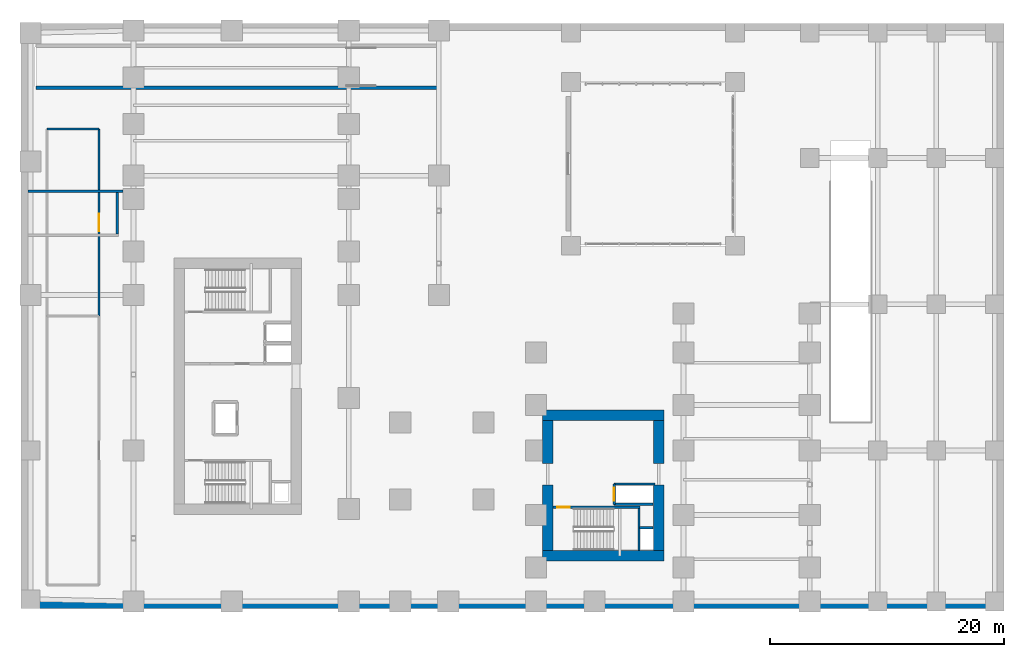
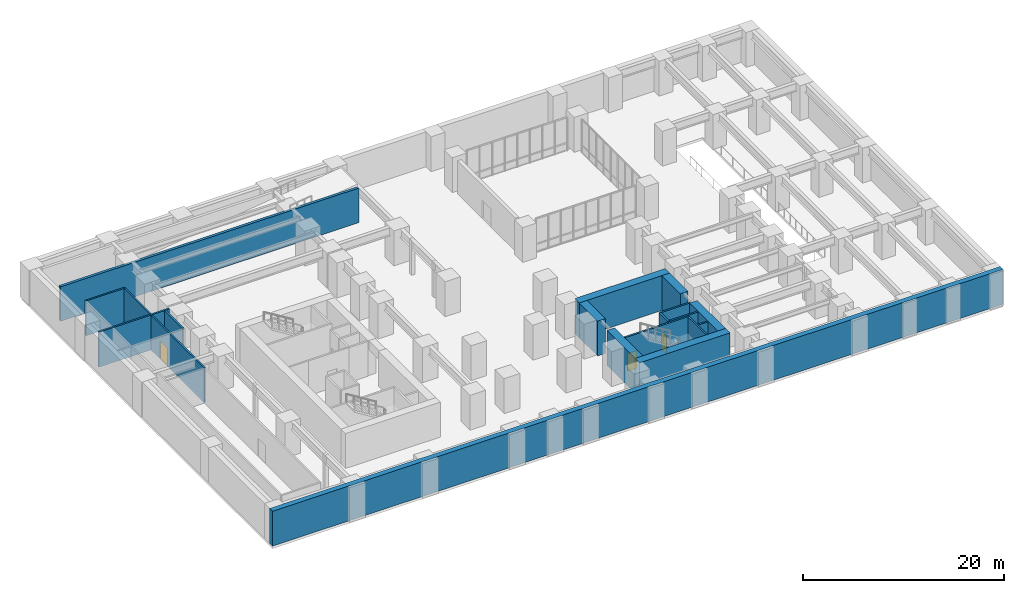
# One storey, part 14 of 18: 18 walls, 3 doors, 3 openings.
"""IFC4 building model written with IfcOpenShell, lengths in metres."""

import ifcopenshell
import ifcopenshell.guid

model = None  # the IFC model being written
_history = None  # IfcOwnerHistory: only IFC2X3 demands one
_inside = {}  # id of a spatial element -> (the spatial element, [elements in it])
_under = {}  # id of a project, library or spatial element -> (it, [spatial elements below it])
_declared = {}  # id of a project -> (the project, [libraries it declares])
_typed = {}  # id of a type object -> (the type object, [elements of that type])
_made_of = {}  # id of a material, layer set ... -> (it, [elements and type objects made of it])


def new_model(schema):
    """Start an empty IFC model of exactly this schema.

    Asked for "IFC4X3", IfcOpenShell would pick the latest addendum, in which some entities
    have other attributes; the version numbers below select the first issue.
    IFC2X3 requires an IfcOwnerHistory on every rooted entity: one is made here for all.
    """
    global model, _history
    if schema == "IFC4X3":
        model = ifcopenshell.file(schema_version=(4, 3, 0, 0))
    else:
        model = ifcopenshell.file(schema=schema)
    _inside.clear()
    _under.clear()
    _declared.clear()
    _typed.clear()
    _made_of.clear()
    _history = None
    if model.schema == "IFC2X3":
        org = make("IfcOrganization", Name="unknown")
        user = make(
            "IfcPersonAndOrganization",
            ThePerson=make("IfcPerson", FamilyName="unknown"),
            TheOrganization=org,
        )
        app = make(
            "IfcApplication",
            ApplicationDeveloper=org,
            Version="unknown",
            ApplicationFullName="unknown",
            ApplicationIdentifier="unknown",
        )
        _history = make(
            "IfcOwnerHistory",
            OwningUser=user,
            OwningApplication=app,
            ChangeAction="ADDED",
            CreationDate=0,
        )
    return model


def make(cls, **values):
    """One entity of the class cls with the attributes given. An attribute that is None is left unset."""
    return model.create_entity(
        cls, **{name: value for name, value in values.items() if value is not None}
    )


def rooted(cls, **values):
    """An entity with a GlobalId (a new one), such as an element, a storey or a relation."""
    return make(cls, GlobalId=ifcopenshell.guid.new(), OwnerHistory=_history, **values)


def si_unit(unit_type, name, prefix=None):
    """IfcSIUnit, for example si_unit("LENGTHUNIT", "METRE", prefix="MILLI")."""
    return make("IfcSIUnit", UnitType=unit_type, Prefix=prefix, Name=name)


def assignment(units):
    """IfcUnitAssignment: the units of a project."""
    return None if units is None else make("IfcUnitAssignment", Units=units)


def point(xyz):
    """IfcCartesianPoint."""
    return None if xyz is None else make("IfcCartesianPoint", Coordinates=xyz)


def direction(xyz):
    """IfcDirection."""
    return None if xyz is None else make("IfcDirection", DirectionRatios=xyz)


def frame(location, z_axis=None, x_axis=None):
    """IfcAxis2Placement3D, a coordinate frame: its origin and axes. An axis left out is left unset."""
    return make(
        "IfcAxis2Placement3D",
        Location=point(location),
        Axis=direction(z_axis),
        RefDirection=direction(x_axis),
    )


def frame_2d(location, x_axis=None):
    """IfcAxis2Placement2D, a coordinate frame in the plane: its origin and x axis."""
    return make(
        "IfcAxis2Placement2D", Location=point(location), RefDirection=direction(x_axis)
    )


def origin():
    """The frame at (0, 0, 0) with its axes left unset."""
    return frame((0.0, 0.0, 0.0))


def place(relative_to, where):
    """IfcLocalPlacement: puts the frame where relative to a parent placement (None: the world)."""
    return make(
        "IfcLocalPlacement", PlacementRelTo=relative_to, RelativePlacement=where
    )


def context(
    kind, dimensions, precision=None, world=None, true_north=None, identifier=None
):
    """IfcGeometricRepresentationContext, for example the 3D "Model" context."""
    return make(
        "IfcGeometricRepresentationContext",
        ContextIdentifier=identifier,
        ContextType=kind,
        CoordinateSpaceDimension=dimensions,
        Precision=precision,
        WorldCoordinateSystem=world,
        TrueNorth=true_north,
    )


def subcontext(parent, identifier, kind, view, scale=None):
    """IfcGeometricRepresentationSubContext, for example "Body" below "Model"."""
    return make(
        "IfcGeometricRepresentationSubContext",
        ContextIdentifier=identifier,
        ContextType=kind,
        ParentContext=parent,
        TargetScale=scale,
        TargetView=view,
    )


def project(units=None, contexts=None):
    """IfcProject with its units and contexts."""
    return rooted(
        "IfcProject",
        Name="project",
        RepresentationContexts=contexts,
        UnitsInContext=assignment(units),
    )


def spatial(cls, under=None, at=None, **own):
    """A site, building, storey or space (cls), placed at a placement, below another one or the project."""
    s = rooted(cls, ObjectPlacement=at, **own)
    if under is not None:
        _under.setdefault(under.id(), (under, []))[1].append(s)
    return s


def profile(cls, at=None, kind="AREA", **sizes):
    """A parametric profile (cls). Its sizes go by their IFC names, for example OverallWidth=200.0."""
    return make(cls, ProfileType=kind, Position=at, **sizes)


def rectangle(**sizes):
    """IfcRectangleProfileDef."""
    return profile("IfcRectangleProfileDef", **sizes)


def extrude(swept, where, along, depth):
    """IfcExtrudedAreaSolid: the profile swept, set in the frame where, extruded along a direction by depth."""
    return make(
        "IfcExtrudedAreaSolid",
        SweptArea=swept,
        Position=where,
        ExtrudedDirection=direction(along),
        Depth=depth,
    )


def shape(context_of_items, identifier, shape_type, items):
    """IfcShapeRepresentation: the items that make up one representation, for example the "Body"."""
    return make(
        "IfcShapeRepresentation",
        ContextOfItems=context_of_items,
        RepresentationIdentifier=identifier,
        RepresentationType=shape_type,
        Items=items,
    )


def source(mapping_origin, context_of_items, identifier, shape_type, items):
    """IfcRepresentationMap: a shape defined once, which mapped items show again and again."""
    return make(
        "IfcRepresentationMap",
        MappingOrigin=mapping_origin,
        MappedRepresentation=shape(context_of_items, identifier, shape_type, items),
    )


def transform(
    local_origin,
    x_axis=None,
    y_axis=None,
    z_axis=None,
    scale=None,
    scale2=None,
    scale3=None,
    uniform=True,
):
    """IfcCartesianTransformationOperator3D, or its non-uniform kind. x_axis, y_axis, z_axis: its Axis1, 2, 3."""
    if uniform:
        return make(
            "IfcCartesianTransformationOperator3D",
            Axis1=direction(x_axis),
            Axis2=direction(y_axis),
            LocalOrigin=point(local_origin),
            Scale=scale,
            Axis3=direction(z_axis),
        )
    return make(
        "IfcCartesianTransformationOperator3DnonUniform",
        Axis1=direction(x_axis),
        Axis2=direction(y_axis),
        LocalOrigin=point(local_origin),
        Scale=scale,
        Axis3=direction(z_axis),
        Scale2=scale2,
        Scale3=scale3,
    )


def mapped(mapping_source, mapping_target):
    """IfcMappedItem: shows the shape of a source again, moved by a transform."""
    return make(
        "IfcMappedItem", MappingSource=mapping_source, MappingTarget=mapping_target
    )


def material(Name=None, Category=None):
    """IfcMaterial."""
    return make("IfcMaterial", Name=Name, Category=Category)


def layer(
    of_material, thickness, ventilated=None, Name=None, Category=None, Priority=None
):
    """IfcMaterialLayer: one layer of a wall or slab, of a material (None: an air gap)."""
    return make(
        "IfcMaterialLayer",
        Material=of_material,
        LayerThickness=thickness,
        IsVentilated=ventilated,
        Name=Name,
        Category=Category,
        Priority=Priority,
    )


def layer_set(layers, Name=None):
    """IfcMaterialLayerSet."""
    return make("IfcMaterialLayerSet", MaterialLayers=layers, LayerSetName=Name)


def made_of(thing, what):
    """Note that an element or type object is made of a material, layer set ...; save() writes the relation."""
    if what is not None:
        _made_of.setdefault(what.id(), (what, []))[1].append(thing)
    return thing


def type_object(cls, material=None, **own):
    """A type object (cls), such as IfcWallType, which elements share."""
    return made_of(rooted(cls, **own), material)


def element(
    cls,
    number,
    at=None,
    inside=None,
    cuts=None,
    type_object=None,
    material=None,
    context=None,
    identifier="Body",
    shape_type=None,
    held_by="IfcProductDefinitionShape",
    body=None,
    shapes=None,
    **own,
):
    """One element of the class cls, such as IfcWall. Its Tag is "e" and its number.

    at: its placement. inside: the storey or other place that contains it. cuts: it is an
    opening in that element (IfcRelVoidsElement). A single representation is given by context,
    identifier, shape_type and body (its items); several are given by shapes. held_by: the class
    of the entity that holds the representations. save() writes the other relations.
    """
    e = rooted(cls, Tag="e%d" % number, ObjectPlacement=at, **own)
    if body is not None:
        shapes = [shape(context, identifier, shape_type, body)]
    if shapes is not None:
        e.Representation = make(held_by, Representations=shapes)
    if inside is not None:
        _inside.setdefault(inside.id(), (inside, []))[1].append(e)
    if cuts is not None:
        rooted(
            "IfcRelVoidsElement", RelatingBuildingElement=cuts, RelatedOpeningElement=e
        )
    if type_object is not None:
        _typed.setdefault(type_object.id(), (type_object, []))[1].append(e)
    return made_of(e, material)


def fill(opening, filler):
    """IfcRelFillsElement: the door or window that sits in an opening."""
    return rooted(
        "IfcRelFillsElement",
        RelatingOpeningElement=opening,
        RelatedBuildingElement=filler,
    )


def aggregate(whole, parts):
    """IfcRelAggregates: a whole, such as a stair, and the parts it consists of."""
    return rooted("IfcRelAggregates", RelatingObject=whole, RelatedObjects=parts)


def save(model, path):
    """Write the relations noted so far, then the file.

    IfcRelAggregates (storeys below a building ...), IfcRelContainedInSpatialStructure (elements
    in a storey), IfcRelDefinesByType, IfcRelAssociatesMaterial and IfcRelDeclares: one each for
    every whole, place, type object, material and project.
    """
    for whole, parts in _under.values():
        aggregate(whole, parts)
    for where, things in _inside.values():
        rooted(
            "IfcRelContainedInSpatialStructure",
            RelatedElements=things,
            RelatingStructure=where,
        )
    for kind, things in _typed.values():
        rooted("IfcRelDefinesByType", RelatedObjects=things, RelatingType=kind)
    for what, things in _made_of.values():
        rooted("IfcRelAssociatesMaterial", RelatedObjects=things, RelatingMaterial=what)
    for by, libraries in _declared.values():
        rooted("IfcRelDeclares", RelatingContext=by, RelatedDefinitions=libraries)
    model.write(path)


model = new_model("IFC4")

# Units and contexts
model_context = context("Model", 3, precision=1e-05, world=origin(), true_north=direction((0.0, 1.0)))
body_context = subcontext(model_context, "Body", "Model", "MODEL_VIEW")
ifc_project = project(units=[si_unit("LENGTHUNIT", "METRE"), si_unit("AREAUNIT", "SQUARE_METRE"), si_unit("VOLUMEUNIT", "CUBIC_METRE"), si_unit("PLANEANGLEUNIT", "RADIAN"), si_unit("MASSUNIT", "GRAM", prefix="KILO")], contexts=[model_context])

# Site, building, storey
site_placement = place(None, origin())
site = spatial("IfcSite", under=ifc_project, at=site_placement, CompositionType="ELEMENT")
building_placement = place(site_placement, origin())
building = spatial("IfcBuilding", under=site, at=building_placement, Name="Kharzan Plaza Tower", CompositionType="ELEMENT")
storey_placement = place(building_placement, frame((0.0, 0.0, -4.5)))
storey = spatial("IfcBuildingStorey", under=building, at=storey_placement, Name="B01", CompositionType="ELEMENT", Elevation=-4.5)

# Wall, opening, door
ifc_material_1 = material(Name="Concrete C40/50", Category="concrete")
ifc_layer_1 = layer(ifc_material_1, 0.179931640625)
ifc_layer_set_1 = layer_set([ifc_layer_1], Name="Concrete C40/50")
wall_type_1 = type_object("IfcWallType", Name="WL-INT-FIRE-180", PredefinedType="PARTITIONING", material=ifc_layer_set_1)
wall_1_placement = place(storey_placement, frame((-2.35009765625, 25.0, 0.0), z_axis=(0.0, 0.0, 1.0), x_axis=(0.0, 1.0, 0.0)))
wall_1 = element("IfcWall", 1, at=wall_1_placement, inside=storey, type_object=wall_type_1, Name="B01 Interior Partition B01-PW2", PredefinedType="PARTITIONING", context=body_context, shape_type="SweptSolid", body=[
    extrude(rectangle(XDim=16.0, YDim=0.179931640625, at=frame_2d((8.0, 0.0))), origin(), (0.0, 0.0, 1.0), 4.22509765625),
])
opening_1_placement = place(wall_1_placement, frame((7.25, 0.0, 0.0)))
opening_1 = element("IfcOpeningElement", 2, at=opening_1_placement, cuts=wall_1, Name="Opening PD1", PredefinedType="OPENING", context=body_context, shape_type="SweptSolid", body=[
    extrude(rectangle(XDim=1.5, YDim=2.199951171875, at=frame_2d((0.75, 1.10009765625))), frame((0.0, 0.099853515625, 0.0), z_axis=(0.0, -1.0, 0.0), x_axis=(1.0, 0.0, 0.0)), (0.0, 0.0, 1.0), 0.199951171875),
])
ifc_material_2 = material(Name="Galvanized Louvred Acoustic Steel", Category="steel")
door_type_1 = type_object("IfcDoorType", Name="DR-PLANT-DBL", OperationType="DOUBLE_DOOR_SINGLE_SWING", PredefinedType="DOOR", material=ifc_material_2)
shared_shape_1 = source(origin(), body_context, "Body", "SweptSolid", [
    extrude(rectangle(XDim=1.5, YDim=2.199951171875, at=frame_2d((0.75, 1.10009765625))), frame((0.0, 0.02490234375, 0.0), z_axis=(0.0, -1.0, 0.0), x_axis=(1.0, 0.0, 0.0)), (0.0, 0.0, 1.0), 0.050048828125),
])
door_1_placement = place(opening_1_placement, origin())
door_1 = element("IfcDoor", 3, at=door_1_placement, inside=storey, type_object=door_type_1, Name="B01 HV Substation Fire Door", OperationType="DOUBLE_DOOR_SINGLE_SWING", OverallHeight=2.199951171875, OverallWidth=1.5, PredefinedType="DOOR", context=body_context, shape_type="MappedRepresentation", body=[
    mapped(shared_shape_1, transform((0.0, 0.0, 0.0), x_axis=(1.0, 0.0, 0.0), y_axis=(0.0, 1.0, 0.0), z_axis=(0.0, 0.0, 1.0))),
])
fill(opening_1, door_1)

ifc_layer_2 = layer(ifc_material_1, 0.199951171875)
ifc_layer_set_2 = layer_set([ifc_layer_2], Name="Concrete C40/50")
wall_type_2 = type_object("IfcWallType", Name="WL-INT-SHAFT-200", PredefinedType="PARTITIONING", material=ifc_layer_set_2)
wall_2_placement = place(storey_placement, frame((41.679931640625, 8.89990234375, 0.0), z_axis=(0.0, 0.0, 1.0), x_axis=(0.0, 1.0, 0.0)))
wall_2 = element("IfcWall", 4, at=wall_2_placement, inside=storey, type_object=wall_type_2, Name="B01 Interior Partition SHF-SVL-2-W", PredefinedType="PARTITIONING", context=body_context, shape_type="SweptSolid", body=[
    extrude(rectangle(XDim=1.739990234375, YDim=0.199951171875, at=frame_2d((0.8701171875, 0.0))), origin(), (0.0, 0.0, 1.0), 4.22509765625),
])
opening_2_placement = place(wall_2_placement, frame((0.320068359375, 0.0, 0.0)))
opening_2 = element("IfcOpeningElement", 5, at=opening_2_placement, cuts=wall_2, Name="Opening LD", PredefinedType="OPENING", context=body_context, shape_type="SweptSolid", body=[
    extrude(rectangle(XDim=1.10009765625, YDim=2.199951171875, at=frame_2d((0.550048828125, 1.10009765625))), frame((0.0, 0.10986328125, 0.0), z_axis=(0.0, -1.0, 0.0), x_axis=(1.0, 0.0, 0.0)), (0.0, 0.0, 1.0), 0.219970703125),
])
ifc_material_3 = material(Name="Brushed Stainless Steel", Category="steel")
door_type_2 = type_object("IfcDoorType", Name="DR-LIFT-SLIDE", OperationType="SLIDING_TO_LEFT", PredefinedType="DOOR", material=ifc_material_3)
shared_shape_2 = source(origin(), body_context, "Body", "SweptSolid", [
    extrude(rectangle(XDim=1.10009765625, YDim=2.199951171875, at=frame_2d((0.550048828125, 1.10009765625))), frame((0.0, 0.02490234375, 0.0), z_axis=(0.0, -1.0, 0.0), x_axis=(1.0, 0.0, 0.0)), (0.0, 0.0, 1.0), 0.050048828125),
])
door_2_placement = place(opening_2_placement, origin())
door_2 = element("IfcDoor", 6, at=door_2_placement, inside=storey, type_object=door_type_2, Name="B01 Service Lift SVL-2 Sliding Landing Door", OperationType="SLIDING_TO_LEFT", OverallHeight=2.199951171875, OverallWidth=1.10009765625, PredefinedType="DOOR", context=body_context, shape_type="MappedRepresentation", body=[
    mapped(shared_shape_2, transform((0.0, 0.0, 0.0), x_axis=(1.0, 0.0, 0.0), y_axis=(0.0, 1.0, 0.0), z_axis=(0.0, 0.0, 1.0))),
])
fill(opening_2, door_2)

ifc_material_4 = material(Name="Concrete C50/60", Category="concrete")
ifc_layer_3 = layer(ifc_material_4, 0.199951171875)
ifc_layer_set_3 = layer_set([ifc_layer_3], Name="Concrete C50/60")
wall_type_3 = type_object("IfcWallType", Name="WL-SHAFT-RC200", PredefinedType="SHEAR", material=ifc_layer_set_3)
wall_3_placement = place(storey_placement, frame((36.451904296875, 8.655029296875, 0.0), z_axis=(0.0, 0.0, 1.0), x_axis=(1.0, 0.0, 0.0)))
wall_3 = element("IfcWall", 7, at=wall_3_placement, inside=storey, type_object=wall_type_3, Name="B01 Stair ST-3 North RC Shaft Wall", PredefinedType="SHEAR", context=body_context, shape_type="SweptSolid", body=[
    extrude(rectangle(XDim=7.453125, YDim=0.199951171875, at=frame_2d((3.7265625, 0.0))), origin(), (0.0, 0.0, 1.0), 4.239990234375),
])
opening_3_placement = place(wall_3_placement, frame((0.35009765625, 0.0, 0.0)))
opening_3 = element("IfcOpeningElement", 8, at=opening_3_placement, cuts=wall_3, Name="Opening SD1", PredefinedType="OPENING", context=body_context, shape_type="SweptSolid", body=[
    extrude(rectangle(XDim=1.10009765625, YDim=2.14990234375, at=frame_2d((0.550048828125, 1.074951171875))), frame((0.0, 0.10986328125, 0.0), z_axis=(0.0, -1.0, 0.0), x_axis=(1.0, 0.0, 0.0)), (0.0, 0.0, 1.0), 0.219970703125),
])
ifc_material_5 = material(Name="Fire-Rated Hollow Galvanized Steel", Category="steel")
door_type_3 = type_object("IfcDoorType", Name="DR-STAIR-FD120", OperationType="NOTDEFINED", PredefinedType="DOOR", material=ifc_material_5)
shared_shape_3 = source(origin(), body_context, "Body", "SweptSolid", [
    extrude(rectangle(XDim=1.10009765625, YDim=2.14990234375, at=frame_2d((0.550048828125, 1.074951171875))), frame((0.0, 0.02490234375, 0.0), z_axis=(0.0, -1.0, 0.0), x_axis=(1.0, 0.0, 0.0)), (0.0, 0.0, 1.0), 0.050048828125),
])
door_3_placement = place(opening_3_placement, origin())
door_3 = element("IfcDoor", 9, at=door_3_placement, inside=storey, type_object=door_type_3, Name="B01 Stair ST-3 Fire Exit Door", OperationType="SINGLE_SWING_RIGHT", OverallHeight=2.14990234375, OverallWidth=1.10009765625, PredefinedType="DOOR", context=body_context, shape_type="MappedRepresentation", body=[
    mapped(shared_shape_3, transform((0.0, 0.0, 0.0), x_axis=(1.0, 0.0, 0.0), y_axis=(0.0, 1.0, 0.0), z_axis=(0.0, 0.0, 1.0))),
])
fill(opening_3, door_3)

# Walls
ifc_layer_4 = layer(ifc_material_4, 0.300048828125)
ifc_layer_set_4 = layer_set([ifc_layer_4], Name="Concrete C50/60")
wall_type_4 = type_object("IfcWallType", Name="WL-RAMP-RC300", PredefinedType="SHEAR", material=ifc_layer_set_4)
shared_shape_4 = source(origin(), body_context, "Body", "SweptSolid", [
    extrude(rectangle(XDim=34.300048828125, YDim=0.300048828125, at=frame_2d((17.14990234375, 0.0))), origin(), (0.0, 0.0, 1.0), 4.199951171875),
])
wall_4_placement = place(storey_placement, frame((-7.75, 44.5, 0.0), z_axis=(0.0, 0.0, 1.0), x_axis=(1.0, 0.0, 0.0)))
element("IfcWall", 10, at=wall_4_placement, inside=storey, type_object=wall_type_4, Name="B01 Upper Ramp South Support Wall", PredefinedType="SHEAR", context=body_context, shape_type="MappedRepresentation", body=[
    mapped(shared_shape_4, transform((0.0, 0.0, 0.0), x_axis=(1.0, 0.0, 0.0), y_axis=(0.0, 1.0, 0.0), z_axis=(0.0, 0.0, 1.0))),
])
ifc_material_6 = material(Name="Concrete C60/75", Category="concrete")
ifc_layer_5 = layer(ifc_material_6, 0.89990234375)
ifc_layer_set_5 = layer_set([ifc_layer_5], Name="Concrete C60/75")
wall_type_5 = type_object("IfcWallType", Name="WL-CORE-900", PredefinedType="SHEAR", material=ifc_layer_set_5)
shared_shape_5 = source(origin(), body_context, "Body", "SweptSolid", [
    extrude(rectangle(XDim=5.60009765625, YDim=0.89990234375, at=frame_2d((2.800048828125, 0.0))), origin(), (0.0, 0.0, 1.0), 4.239990234375),
])
for number, where, z_axis, x_axis, name in (
    (11, (45.5, 4.949951171875, 0.0), (0.0, 0.0, 1.0), (0.0, 1.0, 0.0), "B01 CORE-B east shear pier 1"),
    (12, (36.0, 4.949951171875, 0.0), (0.0, 0.0, 1.0), (0.0, 1.0, 0.0), "B01 CORE-B west shear pier 1"),
):
    element("IfcWall", number, at=place(storey_placement, frame(where, z_axis=z_axis, x_axis=x_axis)), inside=storey, type_object=wall_type_5, Name=name, PredefinedType="SHEAR", context=body_context, shape_type="MappedRepresentation", body=[
        mapped(shared_shape_5, transform((0.0, 0.0, 0.0), x_axis=(1.0, 0.0, 0.0), y_axis=(0.0, 1.0, 0.0), z_axis=(0.0, 0.0, 1.0))),
    ])
shared_shape_6 = source(origin(), body_context, "Body", "SweptSolid", [
    extrude(rectangle(XDim=3.650146484375, YDim=0.89990234375, at=frame_2d((1.8251953125, 0.0))), origin(), (0.0, 0.0, 1.0), 4.239990234375),
])
for number, where, z_axis, x_axis, name in (
    (13, (45.5, 12.39990234375, 0.0), (0.0, 0.0, 1.0), (0.0, 1.0, 0.0), "B01 CORE-B east shear pier 2"),
    (14, (36.0, 12.39990234375, 0.0), (0.0, 0.0, 1.0), (0.0, 1.0, 0.0), "B01 CORE-B west shear pier 2"),
):
    element("IfcWall", number, at=place(storey_placement, frame(where, z_axis=z_axis, x_axis=x_axis)), inside=storey, type_object=wall_type_5, Name=name, PredefinedType="SHEAR", context=body_context, shape_type="MappedRepresentation", body=[
        mapped(shared_shape_6, transform((0.0, 0.0, 0.0), x_axis=(1.0, 0.0, 0.0), y_axis=(0.0, 1.0, 0.0), z_axis=(0.0, 0.0, 1.0))),
    ])
shared_shape_7 = source(origin(), body_context, "Body", "SweptSolid", [
    extrude(rectangle(XDim=10.39990234375, YDim=0.89990234375, at=frame_2d((5.199951171875, 0.0))), origin(), (0.0, 0.0, 1.0), 4.239990234375),
])
for number, where, z_axis, x_axis, name in (
    (15, (35.550048828125, 16.5, 0.0), (0.0, 0.0, 1.0), (1.0, 0.0, 0.0), "B01 CORE-B north RC shear wall"),
    (16, (35.550048828125, 4.5, 0.0), (0.0, 0.0, 1.0), (1.0, 0.0, 0.0), "B01 CORE-B south RC shear wall"),
):
    element("IfcWall", number, at=place(storey_placement, frame(where, z_axis=z_axis, x_axis=x_axis)), inside=storey, type_object=wall_type_5, Name=name, PredefinedType="SHEAR", context=body_context, shape_type="MappedRepresentation", body=[
        mapped(shared_shape_7, transform((0.0, 0.0, 0.0), x_axis=(1.0, 0.0, 0.0), y_axis=(0.0, 1.0, 0.0), z_axis=(0.0, 0.0, 1.0))),
    ])
shared_shape_8 = source(origin(), body_context, "Body", "SweptSolid", [
    extrude(rectangle(XDim=4.449951171875, YDim=0.179931640625, at=frame_2d((2.22509765625, 0.0))), origin(), (0.0, 0.0, 1.0), 4.22509765625),
])
wall_5_placement = place(storey_placement, frame((-6.800048828125, 41.0, 0.0), z_axis=(0.0, 0.0, 1.0), x_axis=(1.0, 0.0, 0.0)))
element("IfcWall", 17, at=wall_5_placement, inside=storey, type_object=wall_type_1, Name="B01 Interior Partition B01-PN0", PredefinedType="PARTITIONING", context=body_context, shape_type="MappedRepresentation", body=[
    mapped(shared_shape_8, transform((0.0, 0.0, 0.0), x_axis=(1.0, 0.0, 0.0), y_axis=(0.0, 1.0, 0.0), z_axis=(0.0, 0.0, 1.0))),
])
shared_shape_9 = source(origin(), body_context, "Body", "SweptSolid", [
    extrude(rectangle(XDim=1.169921875, YDim=0.199951171875, at=frame_2d((0.5849609375, 0.0))), origin(), (0.0, 0.0, 1.0), 4.22509765625),
])
wall_6_placement = place(storey_placement, frame((43.85009765625, 6.89990234375, 0.0), z_axis=(0.0, 0.0, 1.0), x_axis=(1.0, 0.0, 0.0)))
element("IfcWall", 18, at=wall_6_placement, inside=storey, type_object=wall_type_2, Name="B01 Interior Partition CB-RSRB-N", PredefinedType="PARTITIONING", context=body_context, shape_type="MappedRepresentation", body=[
    mapped(shared_shape_9, transform((0.0, 0.0, 0.0), x_axis=(1.0, 0.0, 0.0), y_axis=(0.0, 1.0, 0.0), z_axis=(0.0, 0.0, 1.0))),
])
shared_shape_10 = source(origin(), body_context, "Body", "SweptSolid", [
    extrude(rectangle(XDim=3.489990234375, YDim=0.199951171875, at=frame_2d((1.7451171875, 0.0))), origin(), (0.0, 0.0, 1.0), 4.22509765625),
])
wall_7_placement = place(storey_placement, frame((41.679931640625, 10.639892578125, 0.0), z_axis=(0.0, 0.0, 1.0), x_axis=(1.0, 0.0, 0.0)))
element("IfcWall", 19, at=wall_7_placement, inside=storey, type_object=wall_type_2, Name="B01 Interior Partition SHF-SVL-2-N", PredefinedType="PARTITIONING", context=body_context, shape_type="MappedRepresentation", body=[
    mapped(shared_shape_10, transform((0.0, 0.0, 0.0), x_axis=(1.0, 0.0, 0.0), y_axis=(0.0, 1.0, 0.0), z_axis=(0.0, 0.0, 1.0))),
])
shared_shape_11 = source(origin(), body_context, "Body", "SweptSolid", [
    extrude(rectangle(XDim=3.340087890625, YDim=0.199951171875, at=frame_2d((1.669921875, 0.0))), origin(), (0.0, 0.0, 1.0), 4.22509765625),
])
wall_8_placement = place(storey_placement, frame((41.679931640625, 8.89990234375, 0.0), z_axis=(0.0, 0.0, 1.0), x_axis=(1.0, 0.0, 0.0)))
element("IfcWall", 20, at=wall_8_placement, inside=storey, type_object=wall_type_2, Name="B01 Interior Partition SHF-SVL-2-S", PredefinedType="PARTITIONING", context=body_context, shape_type="MappedRepresentation", body=[
    mapped(shared_shape_11, transform((0.0, 0.0, 0.0), x_axis=(1.0, 0.0, 0.0), y_axis=(0.0, 1.0, 0.0), z_axis=(0.0, 0.0, 1.0))),
])
ifc_layer_6 = layer(ifc_material_4, 0.60009765625)
ifc_layer_set_6 = layer_set([ifc_layer_6], Name="Concrete C50/60")
wall_type_6 = type_object("IfcWallType", Name="WL-RETAIN-600", PredefinedType="USERDEFINED", material=ifc_layer_set_6)
shared_shape_12 = source(origin(), body_context, "Body", "SweptSolid", [
    extrude(rectangle(XDim=84.0, YDim=0.60009765625, at=frame_2d((42.0, 0.0))), origin(), (0.0, 0.0, 1.0), 4.239990234375),
])
wall_9_placement = place(storey_placement, frame((-9.0, 0.300048828125, 0.0), z_axis=(0.0, 0.0, 1.0), x_axis=(1.0, 0.0, 0.0)))
element("IfcWall", 21, at=wall_9_placement, inside=storey, type_object=wall_type_6, Name="B01 South Basement Retaining Wall 600 mm", ObjectType="RETAININGWALL", PredefinedType="USERDEFINED", context=body_context, shape_type="MappedRepresentation", body=[
    mapped(shared_shape_12, transform((0.0, 0.0, 0.0), x_axis=(1.0, 0.0, 0.0), y_axis=(0.0, 1.0, 0.0), z_axis=(0.0, 0.0, 1.0))),
])
shared_shape_13 = source(origin(), body_context, "Body", "SweptSolid", [
    extrude(rectangle(XDim=3.60302734375, YDim=0.199951171875, at=frame_2d((1.801513671875, 0.0))), origin(), (0.0, 0.0, 1.0), 4.239990234375),
])
wall_10_placement = place(storey_placement, frame((43.804931640625, 4.951904296875, 0.0), z_axis=(0.0, 0.0, 1.0), x_axis=(0.0, 1.0, 0.0)))
element("IfcWall", 22, at=wall_10_placement, inside=storey, type_object=wall_type_3, Name="B01 Stair ST-3 East RC Shaft Wall", PredefinedType="SHEAR", context=body_context, shape_type="MappedRepresentation", body=[
    mapped(shared_shape_13, transform((0.0, 0.0, 0.0), x_axis=(1.0, 0.0, 0.0), y_axis=(0.0, 1.0, 0.0), z_axis=(0.0, 0.0, 1.0))),
])
shared_shape_14 = source(origin(), body_context, "Body", "SweptSolid", [
    extrude(rectangle(XDim=3.559814453125, YDim=0.199951171875, at=frame_2d((1.77978515625, 0.0))), origin(), (0.0, 0.0, 1.0), 4.239990234375),
])
wall_11_placement = place(storey_placement, frame((-0.794921875, 31.9951171875, 0.0), z_axis=(0.0, 0.0, 1.0), x_axis=(0.0, 1.0, 0.0)))
element("IfcWall", 23, at=wall_11_placement, inside=storey, type_object=wall_type_3, Name="B01 Stair ST-4 East RC Shaft Wall", PredefinedType="SHEAR", context=body_context, shape_type="MappedRepresentation", body=[
    mapped(shared_shape_14, transform((0.0, 0.0, 0.0), x_axis=(1.0, 0.0, 0.0), y_axis=(0.0, 1.0, 0.0), z_axis=(0.0, 0.0, 1.0))),
])
shared_shape_15 = source(origin(), body_context, "Body", "SweptSolid", [
    extrude(rectangle(XDim=8.099853515625, YDim=0.199951171875, at=frame_2d((4.0498046875, 0.0))), origin(), (0.0, 0.0, 1.0), 4.239990234375),
])
wall_12_placement = place(storey_placement, frame((-8.39990234375, 35.655029296875, 0.0), z_axis=(0.0, 0.0, 1.0), x_axis=(1.0, 0.0, 0.0)))
element("IfcWall", 24, at=wall_12_placement, inside=storey, type_object=wall_type_3, Name="B01 Stair ST-4 North RC Shaft Wall", PredefinedType="SHEAR", context=body_context, shape_type="MappedRepresentation", body=[
    mapped(shared_shape_15, transform((0.0, 0.0, 0.0), x_axis=(1.0, 0.0, 0.0), y_axis=(0.0, 1.0, 0.0), z_axis=(0.0, 0.0, 1.0))),
])

save(model, "model.ifc")
